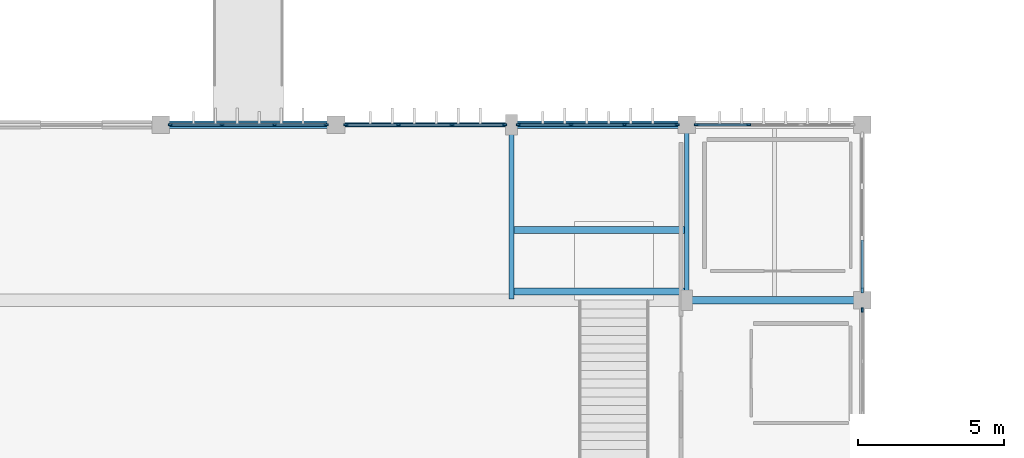
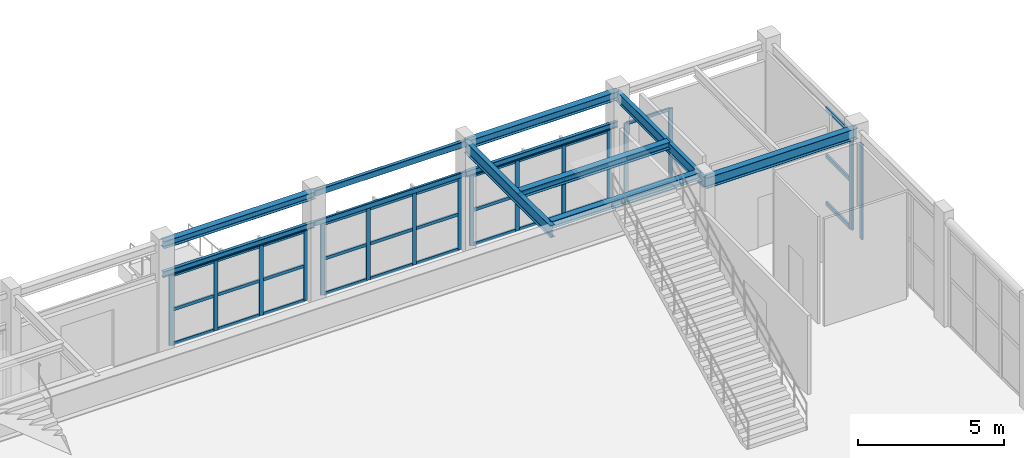
# One storey, part 19 of 76: 49 members, 11 beams, 6 elements without a shape of their own.
"""IFC4 building model written with IfcOpenShell, lengths in metres."""

from ifc_helpers import new_model, si_unit, direction, frame, origin, origin_2d, place, context, subcontext, project, spatial, rectangle, hollow_rectangle, i_section, extrude, material, material_profile, profile_set, type_object, element, aggregate, save


model = new_model("IFC4")

# Units and contexts
model_context = context("Model", 3, precision=1e-05, world=origin(), true_north=direction((0.0, 1.0)))
body_context = subcontext(model_context, "Body", "Model", "MODEL_VIEW")
ifc_project = project(units=[si_unit("LENGTHUNIT", "METRE"), si_unit("AREAUNIT", "SQUARE_METRE"), si_unit("VOLUMEUNIT", "CUBIC_METRE"), si_unit("PLANEANGLEUNIT", "RADIAN"), si_unit("MASSUNIT", "GRAM", prefix="KILO")], contexts=[model_context])

# Site, building, storey
site_placement = place(None, origin())
site = spatial("IfcSite", under=ifc_project, at=site_placement, CompositionType="ELEMENT")
building_placement = place(site_placement, origin())
building = spatial("IfcBuilding", under=site, at=building_placement, Name="Varnakota Square Police Headquarters", CompositionType="ELEMENT")
storey_placement = place(building_placement, origin())
storey = spatial("IfcBuildingStorey", under=building, at=storey_placement, Name="L00", CompositionType="ELEMENT", Elevation=0.0)

# Beams
ifc_material_1 = material(Name="Steel IS 2062 Grade 350", Category="steel")
ifc_material_profile_1 = material_profile(ifc_material_1, hollow_rectangle(XDim=0.14990234375, YDim=0.25, WallThickness=0.010009765625, InnerFilletRadius=0.010009765625, OuterFilletRadius=0.02001953125, at=origin_2d()), Name="RHS 250x150x10")
ifc_profile_set_1 = profile_set([ifc_material_profile_1], Name="Steel IS 2062 Grade 350")
beam_type_1 = type_object("IfcBeamType", Name="BM-CBEAM-RHS250", PredefinedType="BEAM", material=ifc_profile_set_1)
beam_1_placement = place(storey_placement, frame((78.0, 39.0, 4.375), z_axis=(1.0, 0.0, 0.0), x_axis=(0.0, 1.0, 0.0)))
element("IfcBeam", 1, at=beam_1_placement, inside=storey, type_object=beam_type_1, Name="BMG-L00-0783", PredefinedType="BEAM", context=body_context, shape_type="SweptSolid", body=[
    extrude(hollow_rectangle(XDim=0.14990234375, YDim=0.25, WallThickness=0.010009765625, InnerFilletRadius=0.010009765625, OuterFilletRadius=0.02001953125, at=origin_2d()), origin(), (0.0, 0.0, 1.0), 6.0),
])
ifc_material_profile_2 = material_profile(ifc_material_1, i_section(OverallWidth=0.25, OverallDepth=0.300048828125, WebThickness=0.009521484375, FlangeThickness=0.010498046875, FilletRadius=0.011962890625, at=origin_2d()), Name="ISHB 300")
ifc_profile_set_2 = profile_set([ifc_material_profile_2], Name="Steel IS 2062 Grade 350")
beam_type_2 = type_object("IfcBeamType", Name="BM-ISHB300", PredefinedType="BEAM", material=ifc_profile_set_2)
beam_2_placement = place(storey_placement, frame((72.0, 39.0, 4.35009765625), z_axis=(1.0, 0.0, 0.0), x_axis=(0.0, 1.0, 0.0)))
element("IfcBeam", 2, at=beam_2_placement, inside=storey, type_object=beam_type_2, Name="BMG-L00-0782", PredefinedType="BEAM", context=body_context, shape_type="SweptSolid", body=[
    extrude(i_section(OverallWidth=0.25, OverallDepth=0.300048828125, WebThickness=0.009521484375, FlangeThickness=0.010498046875, FilletRadius=0.011962890625, at=origin_2d()), origin(), (0.0, 0.0, 1.0), 6.0),
])
for number, where, z_axis, x_axis, name in (
    (3, (84.050048828125, 33.300048828125, 4.429931640625), (1.0, 0.0, 0.0), (0.0, 1.0, 0.0), "Feature stair landing front trimmer L00"),
    (4, (84.050048828125, 35.39990234375, 4.429931640625), (1.0, 0.0, 0.0), (0.0, 1.0, 0.0), "Feature stair landing rear trimmer L00"),
):
    element("IfcBeam", number, at=place(storey_placement, frame(where, z_axis=z_axis, x_axis=x_axis)), inside=storey, type_object=beam_type_2, Name=name, PredefinedType="BEAM", context=body_context, shape_type="SweptSolid", body=[
        extrude(i_section(OverallWidth=0.25, OverallDepth=0.300048828125, WebThickness=0.009521484375, FlangeThickness=0.010498046875, FilletRadius=0.011962890625, at=origin_2d()), origin(), (0.0, 0.0, 1.0), 5.89990234375),
    ])
ifc_material_profile_3 = material_profile(ifc_material_1, i_section(OverallWidth=0.25, OverallDepth=0.35009765625, WebThickness=0.010009765625, FlangeThickness=0.01171875, FilletRadius=0.011962890625, at=origin_2d()), Name="ISHB 350")
ifc_profile_set_3 = profile_set([ifc_material_profile_3], Name="Steel IS 2062 Grade 350")
beam_type_3 = type_object("IfcBeamType", Name="BM-ISHB350", PredefinedType="BEAM", material=ifc_profile_set_3)
beam_3_placement = place(storey_placement, frame((84.0, 39.0, 4.324951171875), z_axis=(1.0, 0.0, 0.0), x_axis=(0.0, 1.0, 0.0)))
element("IfcBeam", 5, at=beam_3_placement, inside=storey, type_object=beam_type_3, Name="BMG-L00-0784", PredefinedType="BEAM", context=body_context, shape_type="SweptSolid", body=[
    extrude(i_section(OverallWidth=0.25, OverallDepth=0.35009765625, WebThickness=0.010009765625, FlangeThickness=0.01171875, FilletRadius=0.011962890625, at=origin_2d()), origin(), (0.0, 0.0, 1.0), 6.0),
])
ifc_material_profile_4 = material_profile(ifc_material_1, i_section(OverallWidth=0.25, OverallDepth=0.449951171875, WebThickness=0.01123046875, FlangeThickness=0.013671875, FilletRadius=0.014892578125, at=origin_2d()), Name="ISHB 450")
ifc_profile_set_4 = profile_set([ifc_material_profile_4], Name="Steel IS 2062 Grade 350")
beam_type_4 = type_object("IfcBeamType", Name="BM-ISHB450", PredefinedType="BEAM", material=ifc_profile_set_4)
beam_4_placement = place(storey_placement, frame((90.0, 33.0, 4.27490234375), z_axis=(1.0, 0.0, 0.0), x_axis=(0.0, 1.0, 0.0)))
element("IfcBeam", 6, at=beam_4_placement, inside=storey, type_object=beam_type_4, Name="BMG-L00-0769", PredefinedType="BEAM", context=body_context, shape_type="SweptSolid", body=[
    extrude(i_section(OverallWidth=0.25, OverallDepth=0.449951171875, WebThickness=0.01123046875, FlangeThickness=0.013671875, FilletRadius=0.014892578125, at=origin_2d()), origin(), (0.0, 0.0, 1.0), 6.0),
])
ifc_material_profile_5 = material_profile(ifc_material_1, i_section(OverallWidth=0.125, OverallDepth=0.25, WebThickness=0.0068359375, FlangeThickness=0.012451171875, FilletRadius=0.012939453125, at=origin_2d()), Name="ISMB 250")
ifc_profile_set_5 = profile_set([ifc_material_profile_5], Name="Steel IS 2062 Grade 350")
beam_type_5 = type_object("IfcBeamType", Name="BM-ISMB250", PredefinedType="LINTEL", material=ifc_profile_set_5)
for number, where, z_axis, x_axis, name in (
    (7, (72.0, 39.0, 3.074951171875), (1.0, 0.0, 0.0), (0.0, 1.0, 0.0), "Court lintel LNT-N04"),
    (8, (84.0, 39.0, 3.074951171875), (1.0, 0.0, 0.0), (0.0, 1.0, 0.0), "Court lintel LNT-N06"),
):
    element("IfcBeam", number, at=place(storey_placement, frame(where, z_axis=z_axis, x_axis=x_axis)), inside=storey, type_object=beam_type_5, Name=name, PredefinedType="LINTEL", context=body_context, shape_type="SweptSolid", body=[
        extrude(i_section(OverallWidth=0.125, OverallDepth=0.25, WebThickness=0.0068359375, FlangeThickness=0.012451171875, FilletRadius=0.012939453125, at=origin_2d()), origin(), (0.0, 0.0, 1.0), 6.0),
    ])
ifc_material_profile_6 = material_profile(ifc_material_1, i_section(OverallWidth=0.14990234375, OverallDepth=0.449951171875, WebThickness=0.009521484375, FlangeThickness=0.017333984375, FilletRadius=0.014892578125, at=origin_2d()), Name="ISMB 450")
ifc_profile_set_6 = profile_set([ifc_material_profile_6], Name="Steel IS 2062 Grade 350")
beam_type_6 = type_object("IfcBeamType", Name="BM-ISMB450", PredefinedType="BEAM", material=ifc_profile_set_6)
beam_5_placement = place(storey_placement, frame((90.0, 33.0, 4.27490234375), z_axis=(0.0, 1.0, 0.0), x_axis=(-1.0, 0.0, 0.0)))
element("IfcBeam", 9, at=beam_5_placement, inside=storey, type_object=beam_type_6, Name="BMG-L00-1065", PredefinedType="BEAM", context=body_context, shape_type="SweptSolid", body=[
    extrude(i_section(OverallWidth=0.14990234375, OverallDepth=0.449951171875, WebThickness=0.009521484375, FlangeThickness=0.017333984375, FilletRadius=0.014892578125, at=origin_2d()), origin(), (0.0, 0.0, 1.0), 6.0),
])
ifc_material_profile_7 = material_profile(ifc_material_1, i_section(OverallWidth=0.179931640625, OverallDepth=0.5, WebThickness=0.01025390625, FlangeThickness=0.01708984375, FilletRadius=0.01708984375, at=origin_2d()), Name="ISMB 500")
ifc_profile_set_7 = profile_set([ifc_material_profile_7], Name="Steel IS 2062 Grade 350")
beam_type_7 = type_object("IfcBeamType", Name="BM-ISMB500", PredefinedType="BEAM", material=ifc_profile_set_7)
beam_6_placement = place(storey_placement, frame((84.0, 33.050048828125, 4.27001953125), z_axis=(0.0, 1.0, 0.0), x_axis=(-1.0, 0.0, 0.0)))
element("IfcBeam", 10, at=beam_6_placement, inside=storey, type_object=beam_type_7, Name="Gallery trimmer girder ST-CIV2 W", PredefinedType="BEAM", context=body_context, shape_type="SweptSolid", body=[
    extrude(i_section(OverallWidth=0.179931640625, OverallDepth=0.5, WebThickness=0.01025390625, FlangeThickness=0.01708984375, FilletRadius=0.01708984375, at=origin_2d()), origin(), (0.0, 0.0, 1.0), 5.89990234375),
])
ifc_material_profile_8 = material_profile(ifc_material_1, hollow_rectangle(XDim=0.10009765625, YDim=0.199951171875, WallThickness=0.008056640625, InnerFilletRadius=0.008056640625, OuterFilletRadius=0.01611328125, at=origin_2d()), Name="RHS 200x100x8")
ifc_profile_set_8 = profile_set([ifc_material_profile_8], Name="Steel IS 2062 Grade 350")
beam_type_8 = type_object("IfcBeamType", Name="BM-LNT-RHS200", PredefinedType="LINTEL", material=ifc_profile_set_8)
beam_7_placement = place(storey_placement, frame((78.0, 39.0, 3.10009765625), z_axis=(1.0, 0.0, 0.0), x_axis=(0.0, 1.0, 0.0)))
element("IfcBeam", 11, at=beam_7_placement, inside=storey, type_object=beam_type_8, Name="Court lintel LNT-N05", PredefinedType="LINTEL", context=body_context, shape_type="SweptSolid", body=[
    extrude(hollow_rectangle(XDim=0.10009765625, YDim=0.199951171875, WallThickness=0.008056640625, InnerFilletRadius=0.008056640625, OuterFilletRadius=0.01611328125, at=origin_2d()), origin(), (0.0, 0.0, 1.0), 6.0),
])

# Curtain wall, members
ifc_material_2 = material(Name="Anodised Aluminium Framing", Category="aluminium")
curtain_wall_type = type_object("IfcCurtainWallType", Name="CW-SYS-A", PredefinedType="NOTDEFINED", material=ifc_material_2)
curtain_wall_1_placement = place(storey_placement, origin())
curtain_wall_1 = element("IfcCurtainWall", 12, at=curtain_wall_1_placement, inside=storey, type_object=curtain_wall_type, Name="Unitised curtain wall CWG-L00-004", PredefinedType="NOTDEFINED")
ifc_material_3 = material(Name="Anodised Aluminium 6063-T6", Category="aluminium")
ifc_material_profile_9 = material_profile(ifc_material_3, rectangle(XDim=0.06494140625, YDim=0.159912109375, at=origin_2d()), Name="ALU MULLION 65x160")
ifc_profile_set_9 = profile_set([ifc_material_profile_9], Name="Anodised Aluminium 6063-T6")
member_type_1 = type_object("IfcMemberType", Name="CWM-150", PredefinedType="MULLION", material=ifc_profile_set_9)
member_1_placement = place(storey_placement, frame((72.33740234375, 39.0, 0.0), z_axis=(0.0, 0.0, 1.0), x_axis=(0.0, 1.0, 0.0)))
member_1 = element("IfcMember", 13, at=member_1_placement, type_object=member_type_1, Name="CWG-L00-004 mullion 1", PredefinedType="MULLION", context=body_context, shape_type="SweptSolid", body=[
    extrude(rectangle(XDim=0.06494140625, YDim=0.159912109375, at=origin_2d()), origin(), (0.0, 0.0, 1.0), 2.93994140625),
])
member_2_placement = place(storey_placement, frame((74.1015625, 39.0, 0.0), z_axis=(0.0, 0.0, 1.0), x_axis=(0.0, 1.0, 0.0)))
member_2 = element("IfcMember", 14, at=member_2_placement, type_object=member_type_1, Name="CWG-L00-004 mullion 2", PredefinedType="MULLION", context=body_context, shape_type="SweptSolid", body=[
    extrude(rectangle(XDim=0.06494140625, YDim=0.159912109375, at=origin_2d()), origin(), (0.0, 0.0, 1.0), 2.93994140625),
])
member_3_placement = place(storey_placement, frame((75.8984375, 39.0, 0.0), z_axis=(0.0, 0.0, 1.0), x_axis=(0.0, 1.0, 0.0)))
member_3 = element("IfcMember", 15, at=member_3_placement, type_object=member_type_1, Name="CWG-L00-004 mullion 3", PredefinedType="MULLION", context=body_context, shape_type="SweptSolid", body=[
    extrude(rectangle(XDim=0.06494140625, YDim=0.159912109375, at=origin_2d()), origin(), (0.0, 0.0, 1.0), 2.93994140625),
])
member_4_placement = place(storey_placement, frame((77.66259765625, 39.0, 0.0), z_axis=(0.0, 0.0, 1.0), x_axis=(0.0, 1.0, 0.0)))
member_4 = element("IfcMember", 16, at=member_4_placement, type_object=member_type_1, Name="CWG-L00-004 mullion 4", PredefinedType="MULLION", context=body_context, shape_type="SweptSolid", body=[
    extrude(rectangle(XDim=0.06494140625, YDim=0.159912109375, at=origin_2d()), origin(), (0.0, 0.0, 1.0), 2.93994140625),
])

curtain_wall_2_placement = place(storey_placement, origin())
curtain_wall_2 = element("IfcCurtainWall", 17, at=curtain_wall_2_placement, inside=storey, type_object=curtain_wall_type, Name="Unitised curtain wall CWG-L00-005", PredefinedType="NOTDEFINED")
member_5_placement = place(storey_placement, frame((78.33740234375, 39.0, 0.0), z_axis=(0.0, 0.0, 1.0), x_axis=(0.0, 1.0, 0.0)))
member_5 = element("IfcMember", 18, at=member_5_placement, type_object=member_type_1, Name="CWG-L00-005 mullion 1", PredefinedType="MULLION", context=body_context, shape_type="SweptSolid", body=[
    extrude(rectangle(XDim=0.06494140625, YDim=0.159912109375, at=origin_2d()), origin(), (0.0, 0.0, 1.0), 2.989990234375),
])
member_6_placement = place(storey_placement, frame((80.135009765625, 39.0, 0.0), z_axis=(0.0, 0.0, 1.0), x_axis=(0.0, 1.0, 0.0)))
member_6 = element("IfcMember", 19, at=member_6_placement, type_object=member_type_1, Name="CWG-L00-005 mullion 2", PredefinedType="MULLION", context=body_context, shape_type="SweptSolid", body=[
    extrude(rectangle(XDim=0.06494140625, YDim=0.159912109375, at=origin_2d()), origin(), (0.0, 0.0, 1.0), 2.989990234375),
])
member_7_placement = place(storey_placement, frame((81.965087890625, 39.0, 0.0), z_axis=(0.0, 0.0, 1.0), x_axis=(0.0, 1.0, 0.0)))
member_7 = element("IfcMember", 20, at=member_7_placement, type_object=member_type_1, Name="CWG-L00-005 mullion 3", PredefinedType="MULLION", context=body_context, shape_type="SweptSolid", body=[
    extrude(rectangle(XDim=0.06494140625, YDim=0.159912109375, at=origin_2d()), origin(), (0.0, 0.0, 1.0), 2.989990234375),
])
member_8_placement = place(storey_placement, frame((83.762451171875, 39.0, 0.0), z_axis=(0.0, 0.0, 1.0), x_axis=(0.0, 1.0, 0.0)))
member_8 = element("IfcMember", 21, at=member_8_placement, type_object=member_type_1, Name="CWG-L00-005 mullion 4", PredefinedType="MULLION", context=body_context, shape_type="SweptSolid", body=[
    extrude(rectangle(XDim=0.06494140625, YDim=0.159912109375, at=origin_2d()), origin(), (0.0, 0.0, 1.0), 2.989990234375),
])

curtain_wall_3_placement = place(storey_placement, origin())
curtain_wall_3 = element("IfcCurtainWall", 22, at=curtain_wall_3_placement, inside=storey, type_object=curtain_wall_type, Name="Unitised curtain wall CWG-L00-006", PredefinedType="NOTDEFINED")
member_9_placement = place(storey_placement, frame((84.237548828125, 39.0, 0.0), z_axis=(0.0, 0.0, 1.0), x_axis=(0.0, 1.0, 0.0)))
member_9 = element("IfcMember", 23, at=member_9_placement, type_object=member_type_1, Name="CWG-L00-006 mullion 1", PredefinedType="MULLION", context=body_context, shape_type="SweptSolid", body=[
    extrude(rectangle(XDim=0.06494140625, YDim=0.159912109375, at=origin_2d()), origin(), (0.0, 0.0, 1.0), 2.93994140625),
])
member_10_placement = place(storey_placement, frame((86.034912109375, 39.0, 0.0), z_axis=(0.0, 0.0, 1.0), x_axis=(0.0, 1.0, 0.0)))
member_10 = element("IfcMember", 24, at=member_10_placement, type_object=member_type_1, Name="CWG-L00-006 mullion 2", PredefinedType="MULLION", context=body_context, shape_type="SweptSolid", body=[
    extrude(rectangle(XDim=0.06494140625, YDim=0.159912109375, at=origin_2d()), origin(), (0.0, 0.0, 1.0), 2.93994140625),
])
member_11_placement = place(storey_placement, frame((87.864990234375, 39.0, 0.0), z_axis=(0.0, 0.0, 1.0), x_axis=(0.0, 1.0, 0.0)))
member_11 = element("IfcMember", 25, at=member_11_placement, type_object=member_type_1, Name="CWG-L00-006 mullion 3", PredefinedType="MULLION", context=body_context, shape_type="SweptSolid", body=[
    extrude(rectangle(XDim=0.06494140625, YDim=0.159912109375, at=origin_2d()), origin(), (0.0, 0.0, 1.0), 2.93994140625),
])
member_12_placement = place(storey_placement, frame((89.66259765625, 39.0, 0.0), z_axis=(0.0, 0.0, 1.0), x_axis=(0.0, 1.0, 0.0)))
member_12 = element("IfcMember", 26, at=member_12_placement, type_object=member_type_1, Name="CWG-L00-006 mullion 4", PredefinedType="MULLION", context=body_context, shape_type="SweptSolid", body=[
    extrude(rectangle(XDim=0.06494140625, YDim=0.159912109375, at=origin_2d()), origin(), (0.0, 0.0, 1.0), 2.93994140625),
])

curtain_wall_4_placement = place(storey_placement, origin())
curtain_wall_4 = element("IfcCurtainWall", 27, at=curtain_wall_4_placement, inside=storey, type_object=curtain_wall_type, Name="Unitised curtain wall CWG-L00-007", PredefinedType="NOTDEFINED")
member_13_placement = place(storey_placement, frame((90.33740234375, 39.0, 0.0), z_axis=(0.0, 0.0, 1.0), x_axis=(0.0, 1.0, 0.0)))
member_13 = element("IfcMember", 28, at=member_13_placement, type_object=member_type_1, Name="CWG-L00-007 mullion 1", PredefinedType="MULLION", context=body_context, shape_type="SweptSolid", body=[
    extrude(rectangle(XDim=0.06494140625, YDim=0.159912109375, at=origin_2d()), origin(), (0.0, 0.0, 1.0), 2.989990234375),
])
member_14_placement = place(storey_placement, frame((92.1015625, 39.0, 0.0), z_axis=(0.0, 0.0, 1.0), x_axis=(0.0, 1.0, 0.0)))
member_14 = element("IfcMember", 29, at=member_14_placement, type_object=member_type_1, Name="CWG-L00-007 mullion 2", PredefinedType="MULLION", context=body_context, shape_type="SweptSolid", body=[
    extrude(rectangle(XDim=0.06494140625, YDim=0.159912109375, at=origin_2d()), origin(), (0.0, 0.0, 1.0), 2.989990234375),
])

# Curtain wall, member
curtain_wall_5_placement = place(storey_placement, origin())
curtain_wall_5 = element("IfcCurtainWall", 30, at=curtain_wall_5_placement, inside=storey, type_object=curtain_wall_type, Name="Unitised curtain wall CWG-L00-013", PredefinedType="NOTDEFINED")
member_15_placement = place(storey_placement, frame((96.0, 32.66259765625, 0.0), z_axis=(0.0, 0.0, 1.0), x_axis=(-1.0, 0.0, 0.0)))
member_15 = element("IfcMember", 31, at=member_15_placement, type_object=member_type_1, Name="CWG-L00-013 mullion 4", PredefinedType="MULLION", context=body_context, shape_type="SweptSolid", body=[
    extrude(rectangle(XDim=0.06494140625, YDim=0.159912109375, at=origin_2d()), origin(), (0.0, 0.0, 1.0), 3.989990234375),
])
aggregate(curtain_wall_5, [member_15])

curtain_wall_6_placement = place(storey_placement, origin())
curtain_wall_6 = element("IfcCurtainWall", 32, at=curtain_wall_6_placement, inside=storey, type_object=curtain_wall_type, Name="Unitised curtain wall CWG-L00-015", PredefinedType="NOTDEFINED")
ifc_material_profile_10 = material_profile(ifc_material_3, rectangle(XDim=0.074951171875, YDim=0.199951171875, at=origin_2d()), Name="ALU MULLION 75x200")
ifc_profile_set_10 = profile_set([ifc_material_profile_10], Name="Anodised Aluminium 6063-T6")
member_type_2 = type_object("IfcMemberType", Name="CWM-180", PredefinedType="MULLION", material=ifc_profile_set_10)
member_16_placement = place(storey_placement, frame((96.0, 33.342529296875, 0.0), z_axis=(0.0, 0.0, 1.0), x_axis=(-1.0, 0.0, 0.0)))
member_16 = element("IfcMember", 33, at=member_16_placement, type_object=member_type_2, Name="CWG-L00-015 mullion 1", PredefinedType="MULLION", context=body_context, shape_type="SweptSolid", body=[
    extrude(rectangle(XDim=0.074951171875, YDim=0.199951171875, at=origin_2d()), origin(), (0.0, 0.0, 1.0), 4.0400390625),
])

# Member
ifc_material_profile_11 = material_profile(ifc_material_3, rectangle(XDim=0.06494140625, YDim=0.1298828125, at=origin_2d()), Name="ALU TRANSOM 65x130")
ifc_profile_set_11 = profile_set([ifc_material_profile_11], Name="Anodised Aluminium 6063-T6")
member_type_3 = type_object("IfcMemberType", Name="CWT-120", PredefinedType="USERDEFINED", material=ifc_profile_set_11)
member_17_placement = place(storey_placement, frame((72.3701171875, 39.0, 0.032470703125), z_axis=(1.0, 0.0, 0.0), x_axis=(0.0, 1.0, 0.0)))
member_17 = element("IfcMember", 34, at=member_17_placement, type_object=member_type_3, Name="CWG-L00-004 transom 1.1", ObjectType="TRANSOM", PredefinedType="USERDEFINED", context=body_context, shape_type="SweptSolid", body=[
    extrude(rectangle(XDim=0.06494140625, YDim=0.1298828125, at=origin_2d()), origin(), (0.0, 0.0, 1.0), 1.698974609375),
])

member_18_placement = place(storey_placement, frame((72.3701171875, 39.0, 1.469970703125), z_axis=(1.0, 0.0, 0.0), x_axis=(0.0, 1.0, 0.0)))
member_18 = element("IfcMember", 35, at=member_18_placement, type_object=member_type_3, Name="CWG-L00-004 transom 1.2", ObjectType="TRANSOM", PredefinedType="USERDEFINED", context=body_context, shape_type="SweptSolid", body=[
    extrude(rectangle(XDim=0.06494140625, YDim=0.1298828125, at=origin_2d()), origin(), (0.0, 0.0, 1.0), 1.698974609375),
])

member_19_placement = place(storey_placement, frame((72.3701171875, 39.0, 2.907470703125), z_axis=(1.0, 0.0, 0.0), x_axis=(0.0, 1.0, 0.0)))
member_19 = element("IfcMember", 36, at=member_19_placement, type_object=member_type_3, Name="CWG-L00-004 transom 1.3", ObjectType="TRANSOM", PredefinedType="USERDEFINED", context=body_context, shape_type="SweptSolid", body=[
    extrude(rectangle(XDim=0.06494140625, YDim=0.1298828125, at=origin_2d()), origin(), (0.0, 0.0, 1.0), 1.698974609375),
])

member_20_placement = place(storey_placement, frame((74.13427734375, 39.0, 0.032470703125), z_axis=(1.0, 0.0, 0.0), x_axis=(0.0, 1.0, 0.0)))
member_20 = element("IfcMember", 37, at=member_20_placement, type_object=member_type_3, Name="CWG-L00-004 transom 2.1", ObjectType="TRANSOM", PredefinedType="USERDEFINED", context=body_context, shape_type="SweptSolid", body=[
    extrude(rectangle(XDim=0.06494140625, YDim=0.1298828125, at=origin_2d()), origin(), (0.0, 0.0, 1.0), 1.7314453125),
])

member_21_placement = place(storey_placement, frame((74.13427734375, 39.0, 1.469970703125), z_axis=(1.0, 0.0, 0.0), x_axis=(0.0, 1.0, 0.0)))
member_21 = element("IfcMember", 38, at=member_21_placement, type_object=member_type_3, Name="CWG-L00-004 transom 2.2", ObjectType="TRANSOM", PredefinedType="USERDEFINED", context=body_context, shape_type="SweptSolid", body=[
    extrude(rectangle(XDim=0.06494140625, YDim=0.1298828125, at=origin_2d()), origin(), (0.0, 0.0, 1.0), 1.7314453125),
])

member_22_placement = place(storey_placement, frame((74.13427734375, 39.0, 2.907470703125), z_axis=(1.0, 0.0, 0.0), x_axis=(0.0, 1.0, 0.0)))
member_22 = element("IfcMember", 39, at=member_22_placement, type_object=member_type_3, Name="CWG-L00-004 transom 2.3", ObjectType="TRANSOM", PredefinedType="USERDEFINED", context=body_context, shape_type="SweptSolid", body=[
    extrude(rectangle(XDim=0.06494140625, YDim=0.1298828125, at=origin_2d()), origin(), (0.0, 0.0, 1.0), 1.7314453125),
])

member_23_placement = place(storey_placement, frame((75.930908203125, 39.0, 0.032470703125), z_axis=(1.0, 0.0, 0.0), x_axis=(0.0, 1.0, 0.0)))
member_23 = element("IfcMember", 40, at=member_23_placement, type_object=member_type_3, Name="CWG-L00-004 transom 3.1", ObjectType="TRANSOM", PredefinedType="USERDEFINED", context=body_context, shape_type="SweptSolid", body=[
    extrude(rectangle(XDim=0.06494140625, YDim=0.1298828125, at=origin_2d()), origin(), (0.0, 0.0, 1.0), 1.698974609375),
])

member_24_placement = place(storey_placement, frame((75.930908203125, 39.0, 1.469970703125), z_axis=(1.0, 0.0, 0.0), x_axis=(0.0, 1.0, 0.0)))
member_24 = element("IfcMember", 41, at=member_24_placement, type_object=member_type_3, Name="CWG-L00-004 transom 3.2", ObjectType="TRANSOM", PredefinedType="USERDEFINED", context=body_context, shape_type="SweptSolid", body=[
    extrude(rectangle(XDim=0.06494140625, YDim=0.1298828125, at=origin_2d()), origin(), (0.0, 0.0, 1.0), 1.698974609375),
])

member_25_placement = place(storey_placement, frame((75.930908203125, 39.0, 2.907470703125), z_axis=(1.0, 0.0, 0.0), x_axis=(0.0, 1.0, 0.0)))
member_25 = element("IfcMember", 42, at=member_25_placement, type_object=member_type_3, Name="CWG-L00-004 transom 3.3", ObjectType="TRANSOM", PredefinedType="USERDEFINED", context=body_context, shape_type="SweptSolid", body=[
    extrude(rectangle(XDim=0.06494140625, YDim=0.1298828125, at=origin_2d()), origin(), (0.0, 0.0, 1.0), 1.698974609375),
])

aggregate(curtain_wall_1, [member_1, member_2, member_3, member_4, member_17, member_18, member_19, member_20, member_21, member_22, member_23, member_24, member_25])

member_26_placement = place(storey_placement, frame((78.3701171875, 39.0, 0.032470703125), z_axis=(1.0, 0.0, 0.0), x_axis=(0.0, 1.0, 0.0)))
member_26 = element("IfcMember", 43, at=member_26_placement, type_object=member_type_3, Name="CWG-L00-005 transom 1.1", ObjectType="TRANSOM", PredefinedType="USERDEFINED", context=body_context, shape_type="SweptSolid", body=[
    extrude(rectangle(XDim=0.06494140625, YDim=0.1298828125, at=origin_2d()), origin(), (0.0, 0.0, 1.0), 1.732421875),
])

member_27_placement = place(storey_placement, frame((78.3701171875, 39.0, 1.4951171875), z_axis=(1.0, 0.0, 0.0), x_axis=(0.0, 1.0, 0.0)))
member_27 = element("IfcMember", 44, at=member_27_placement, type_object=member_type_3, Name="CWG-L00-005 transom 1.2", ObjectType="TRANSOM", PredefinedType="USERDEFINED", context=body_context, shape_type="SweptSolid", body=[
    extrude(rectangle(XDim=0.06494140625, YDim=0.1298828125, at=origin_2d()), origin(), (0.0, 0.0, 1.0), 1.732421875),
])

member_28_placement = place(storey_placement, frame((78.3701171875, 39.0, 2.95751953125), z_axis=(1.0, 0.0, 0.0), x_axis=(0.0, 1.0, 0.0)))
member_28 = element("IfcMember", 45, at=member_28_placement, type_object=member_type_3, Name="CWG-L00-005 transom 1.3", ObjectType="TRANSOM", PredefinedType="USERDEFINED", context=body_context, shape_type="SweptSolid", body=[
    extrude(rectangle(XDim=0.06494140625, YDim=0.1298828125, at=origin_2d()), origin(), (0.0, 0.0, 1.0), 1.732421875),
])

member_29_placement = place(storey_placement, frame((80.16748046875, 39.0, 0.032470703125), z_axis=(1.0, 0.0, 0.0), x_axis=(0.0, 1.0, 0.0)))
member_29 = element("IfcMember", 46, at=member_29_placement, type_object=member_type_3, Name="CWG-L00-005 transom 2.1", ObjectType="TRANSOM", PredefinedType="USERDEFINED", context=body_context, shape_type="SweptSolid", body=[
    extrude(rectangle(XDim=0.06494140625, YDim=0.1298828125, at=origin_2d()), origin(), (0.0, 0.0, 1.0), 1.76513671875),
])

member_30_placement = place(storey_placement, frame((80.16748046875, 39.0, 1.4951171875), z_axis=(1.0, 0.0, 0.0), x_axis=(0.0, 1.0, 0.0)))
member_30 = element("IfcMember", 47, at=member_30_placement, type_object=member_type_3, Name="CWG-L00-005 transom 2.2", ObjectType="TRANSOM", PredefinedType="USERDEFINED", context=body_context, shape_type="SweptSolid", body=[
    extrude(rectangle(XDim=0.06494140625, YDim=0.1298828125, at=origin_2d()), origin(), (0.0, 0.0, 1.0), 1.76513671875),
])

member_31_placement = place(storey_placement, frame((80.16748046875, 39.0, 2.95751953125), z_axis=(1.0, 0.0, 0.0), x_axis=(0.0, 1.0, 0.0)))
member_31 = element("IfcMember", 48, at=member_31_placement, type_object=member_type_3, Name="CWG-L00-005 transom 2.3", ObjectType="TRANSOM", PredefinedType="USERDEFINED", context=body_context, shape_type="SweptSolid", body=[
    extrude(rectangle(XDim=0.06494140625, YDim=0.1298828125, at=origin_2d()), origin(), (0.0, 0.0, 1.0), 1.76513671875),
])

member_32_placement = place(storey_placement, frame((81.99755859375, 39.0, 0.032470703125), z_axis=(1.0, 0.0, 0.0), x_axis=(0.0, 1.0, 0.0)))
member_32 = element("IfcMember", 49, at=member_32_placement, type_object=member_type_3, Name="CWG-L00-005 transom 3.1", ObjectType="TRANSOM", PredefinedType="USERDEFINED", context=body_context, shape_type="SweptSolid", body=[
    extrude(rectangle(XDim=0.06494140625, YDim=0.1298828125, at=origin_2d()), origin(), (0.0, 0.0, 1.0), 1.732421875),
])

member_33_placement = place(storey_placement, frame((81.99755859375, 39.0, 1.4951171875), z_axis=(1.0, 0.0, 0.0), x_axis=(0.0, 1.0, 0.0)))
member_33 = element("IfcMember", 50, at=member_33_placement, type_object=member_type_3, Name="CWG-L00-005 transom 3.2", ObjectType="TRANSOM", PredefinedType="USERDEFINED", context=body_context, shape_type="SweptSolid", body=[
    extrude(rectangle(XDim=0.06494140625, YDim=0.1298828125, at=origin_2d()), origin(), (0.0, 0.0, 1.0), 1.732421875),
])

member_34_placement = place(storey_placement, frame((81.99755859375, 39.0, 2.95751953125), z_axis=(1.0, 0.0, 0.0), x_axis=(0.0, 1.0, 0.0)))
member_34 = element("IfcMember", 51, at=member_34_placement, type_object=member_type_3, Name="CWG-L00-005 transom 3.3", ObjectType="TRANSOM", PredefinedType="USERDEFINED", context=body_context, shape_type="SweptSolid", body=[
    extrude(rectangle(XDim=0.06494140625, YDim=0.1298828125, at=origin_2d()), origin(), (0.0, 0.0, 1.0), 1.732421875),
])

aggregate(curtain_wall_2, [member_5, member_6, member_7, member_8, member_26, member_27, member_28, member_29, member_30, member_31, member_32, member_33, member_34])

member_35_placement = place(storey_placement, frame((84.27001953125, 39.0, 0.032470703125), z_axis=(1.0, 0.0, 0.0), x_axis=(0.0, 1.0, 0.0)))
member_35 = element("IfcMember", 52, at=member_35_placement, type_object=member_type_3, Name="CWG-L00-006 transom 1.1", ObjectType="TRANSOM", PredefinedType="USERDEFINED", context=body_context, shape_type="SweptSolid", body=[
    extrude(rectangle(XDim=0.06494140625, YDim=0.1298828125, at=origin_2d()), origin(), (0.0, 0.0, 1.0), 1.732421875),
])

member_36_placement = place(storey_placement, frame((84.27001953125, 39.0, 1.469970703125), z_axis=(1.0, 0.0, 0.0), x_axis=(0.0, 1.0, 0.0)))
member_36 = element("IfcMember", 53, at=member_36_placement, type_object=member_type_3, Name="CWG-L00-006 transom 1.2", ObjectType="TRANSOM", PredefinedType="USERDEFINED", context=body_context, shape_type="SweptSolid", body=[
    extrude(rectangle(XDim=0.06494140625, YDim=0.1298828125, at=origin_2d()), origin(), (0.0, 0.0, 1.0), 1.732421875),
])

member_37_placement = place(storey_placement, frame((84.27001953125, 39.0, 2.907470703125), z_axis=(1.0, 0.0, 0.0), x_axis=(0.0, 1.0, 0.0)))
member_37 = element("IfcMember", 54, at=member_37_placement, type_object=member_type_3, Name="CWG-L00-006 transom 1.3", ObjectType="TRANSOM", PredefinedType="USERDEFINED", context=body_context, shape_type="SweptSolid", body=[
    extrude(rectangle(XDim=0.06494140625, YDim=0.1298828125, at=origin_2d()), origin(), (0.0, 0.0, 1.0), 1.732421875),
])

member_38_placement = place(storey_placement, frame((86.0673828125, 39.0, 0.032470703125), z_axis=(1.0, 0.0, 0.0), x_axis=(0.0, 1.0, 0.0)))
member_38 = element("IfcMember", 55, at=member_38_placement, type_object=member_type_3, Name="CWG-L00-006 transom 2.1", ObjectType="TRANSOM", PredefinedType="USERDEFINED", context=body_context, shape_type="SweptSolid", body=[
    extrude(rectangle(XDim=0.06494140625, YDim=0.1298828125, at=origin_2d()), origin(), (0.0, 0.0, 1.0), 1.76513671875),
])

member_39_placement = place(storey_placement, frame((86.0673828125, 39.0, 1.469970703125), z_axis=(1.0, 0.0, 0.0), x_axis=(0.0, 1.0, 0.0)))
member_39 = element("IfcMember", 56, at=member_39_placement, type_object=member_type_3, Name="CWG-L00-006 transom 2.2", ObjectType="TRANSOM", PredefinedType="USERDEFINED", context=body_context, shape_type="SweptSolid", body=[
    extrude(rectangle(XDim=0.06494140625, YDim=0.1298828125, at=origin_2d()), origin(), (0.0, 0.0, 1.0), 1.76513671875),
])

member_40_placement = place(storey_placement, frame((86.0673828125, 39.0, 2.907470703125), z_axis=(1.0, 0.0, 0.0), x_axis=(0.0, 1.0, 0.0)))
member_40 = element("IfcMember", 57, at=member_40_placement, type_object=member_type_3, Name="CWG-L00-006 transom 2.3", ObjectType="TRANSOM", PredefinedType="USERDEFINED", context=body_context, shape_type="SweptSolid", body=[
    extrude(rectangle(XDim=0.06494140625, YDim=0.1298828125, at=origin_2d()), origin(), (0.0, 0.0, 1.0), 1.76513671875),
])

member_41_placement = place(storey_placement, frame((87.8974609375, 39.0, 0.032470703125), z_axis=(1.0, 0.0, 0.0), x_axis=(0.0, 1.0, 0.0)))
member_41 = element("IfcMember", 58, at=member_41_placement, type_object=member_type_3, Name="CWG-L00-006 transom 3.1", ObjectType="TRANSOM", PredefinedType="USERDEFINED", context=body_context, shape_type="SweptSolid", body=[
    extrude(rectangle(XDim=0.06494140625, YDim=0.1298828125, at=origin_2d()), origin(), (0.0, 0.0, 1.0), 1.732421875),
])

member_42_placement = place(storey_placement, frame((87.8974609375, 39.0, 1.469970703125), z_axis=(1.0, 0.0, 0.0), x_axis=(0.0, 1.0, 0.0)))
member_42 = element("IfcMember", 59, at=member_42_placement, type_object=member_type_3, Name="CWG-L00-006 transom 3.2", ObjectType="TRANSOM", PredefinedType="USERDEFINED", context=body_context, shape_type="SweptSolid", body=[
    extrude(rectangle(XDim=0.06494140625, YDim=0.1298828125, at=origin_2d()), origin(), (0.0, 0.0, 1.0), 1.732421875),
])

member_43_placement = place(storey_placement, frame((87.8974609375, 39.0, 2.907470703125), z_axis=(1.0, 0.0, 0.0), x_axis=(0.0, 1.0, 0.0)))
member_43 = element("IfcMember", 60, at=member_43_placement, type_object=member_type_3, Name="CWG-L00-006 transom 3.3", ObjectType="TRANSOM", PredefinedType="USERDEFINED", context=body_context, shape_type="SweptSolid", body=[
    extrude(rectangle(XDim=0.06494140625, YDim=0.1298828125, at=origin_2d()), origin(), (0.0, 0.0, 1.0), 1.732421875),
])

aggregate(curtain_wall_3, [member_9, member_10, member_11, member_12, member_35, member_36, member_37, member_38, member_39, member_40, member_41, member_42, member_43])

member_44_placement = place(storey_placement, frame((90.3701171875, 39.0, 0.032470703125), z_axis=(1.0, 0.0, 0.0), x_axis=(0.0, 1.0, 0.0)))
member_44 = element("IfcMember", 61, at=member_44_placement, type_object=member_type_3, Name="CWG-L00-007 transom 1.1", ObjectType="TRANSOM", PredefinedType="USERDEFINED", context=body_context, shape_type="SweptSolid", body=[
    extrude(rectangle(XDim=0.06494140625, YDim=0.1298828125, at=origin_2d()), origin(), (0.0, 0.0, 1.0), 1.698974609375),
])

member_45_placement = place(storey_placement, frame((90.3701171875, 39.0, 1.4951171875), z_axis=(1.0, 0.0, 0.0), x_axis=(0.0, 1.0, 0.0)))
member_45 = element("IfcMember", 62, at=member_45_placement, type_object=member_type_3, Name="CWG-L00-007 transom 1.2", ObjectType="TRANSOM", PredefinedType="USERDEFINED", context=body_context, shape_type="SweptSolid", body=[
    extrude(rectangle(XDim=0.06494140625, YDim=0.1298828125, at=origin_2d()), origin(), (0.0, 0.0, 1.0), 1.698974609375),
])

member_46_placement = place(storey_placement, frame((90.3701171875, 39.0, 2.95751953125), z_axis=(1.0, 0.0, 0.0), x_axis=(0.0, 1.0, 0.0)))
member_46 = element("IfcMember", 63, at=member_46_placement, type_object=member_type_3, Name="CWG-L00-007 transom 1.3", ObjectType="TRANSOM", PredefinedType="USERDEFINED", context=body_context, shape_type="SweptSolid", body=[
    extrude(rectangle(XDim=0.06494140625, YDim=0.1298828125, at=origin_2d()), origin(), (0.0, 0.0, 1.0), 1.698974609375),
])

aggregate(curtain_wall_4, [member_13, member_14, member_44, member_45, member_46])

ifc_material_profile_12 = material_profile(ifc_material_3, rectangle(XDim=0.074951171875, YDim=0.159912109375, at=origin_2d()), Name="ALU TRANSOM 75x160")
ifc_profile_set_12 = profile_set([ifc_material_profile_12], Name="Anodised Aluminium 6063-T6")
member_type_4 = type_object("IfcMemberType", Name="CWT-150", PredefinedType="USERDEFINED", material=ifc_profile_set_12)
member_47_placement = place(storey_placement, frame((96.0, 33.3798828125, 0.03759765625), z_axis=(0.0, 1.0, 0.0), x_axis=(-1.0, 0.0, 0.0)))
member_47 = element("IfcMember", 64, at=member_47_placement, type_object=member_type_4, Name="CWG-L00-015 transom 1.1", ObjectType="TRANSOM", PredefinedType="USERDEFINED", context=body_context, shape_type="SweptSolid", body=[
    extrude(rectangle(XDim=0.074951171875, YDim=0.159912109375, at=origin_2d()), origin(), (0.0, 0.0, 1.0), 1.684326171875),
])

member_48_placement = place(storey_placement, frame((96.0, 33.3798828125, 2.02001953125), z_axis=(0.0, 1.0, 0.0), x_axis=(-1.0, 0.0, 0.0)))
member_48 = element("IfcMember", 65, at=member_48_placement, type_object=member_type_4, Name="CWG-L00-015 transom 1.2", ObjectType="TRANSOM", PredefinedType="USERDEFINED", context=body_context, shape_type="SweptSolid", body=[
    extrude(rectangle(XDim=0.074951171875, YDim=0.159912109375, at=origin_2d()), origin(), (0.0, 0.0, 1.0), 1.684326171875),
])

member_49_placement = place(storey_placement, frame((96.0, 33.3798828125, 4.00244140625), z_axis=(0.0, 1.0, 0.0), x_axis=(-1.0, 0.0, 0.0)))
member_49 = element("IfcMember", 66, at=member_49_placement, type_object=member_type_4, Name="CWG-L00-015 transom 1.3", ObjectType="TRANSOM", PredefinedType="USERDEFINED", context=body_context, shape_type="SweptSolid", body=[
    extrude(rectangle(XDim=0.074951171875, YDim=0.159912109375, at=origin_2d()), origin(), (0.0, 0.0, 1.0), 1.684326171875),
])

aggregate(curtain_wall_6, [member_16, member_47, member_48, member_49])

save(model, "model.ifc")
